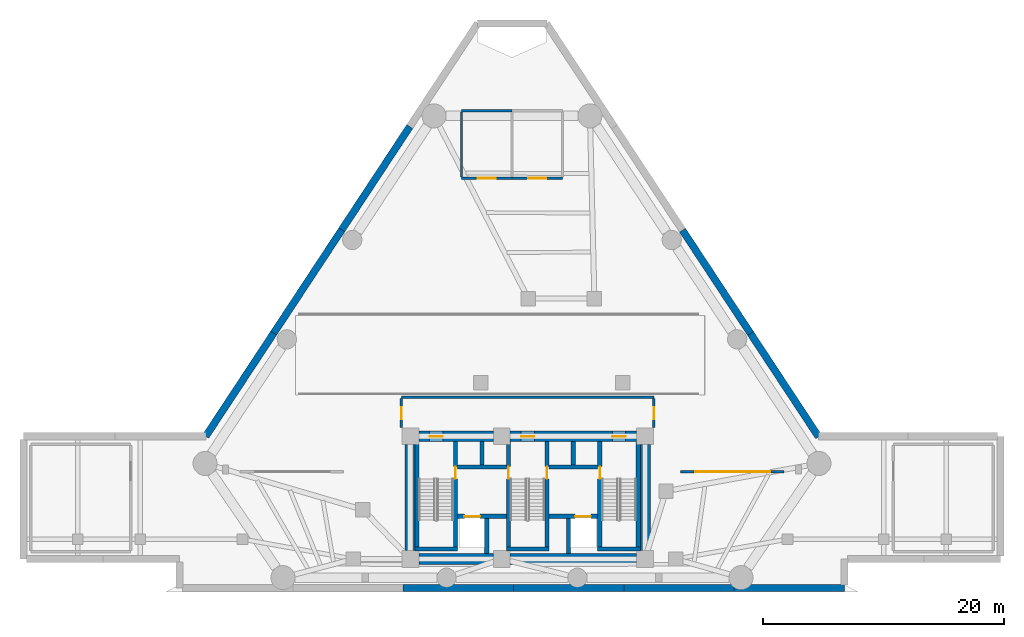
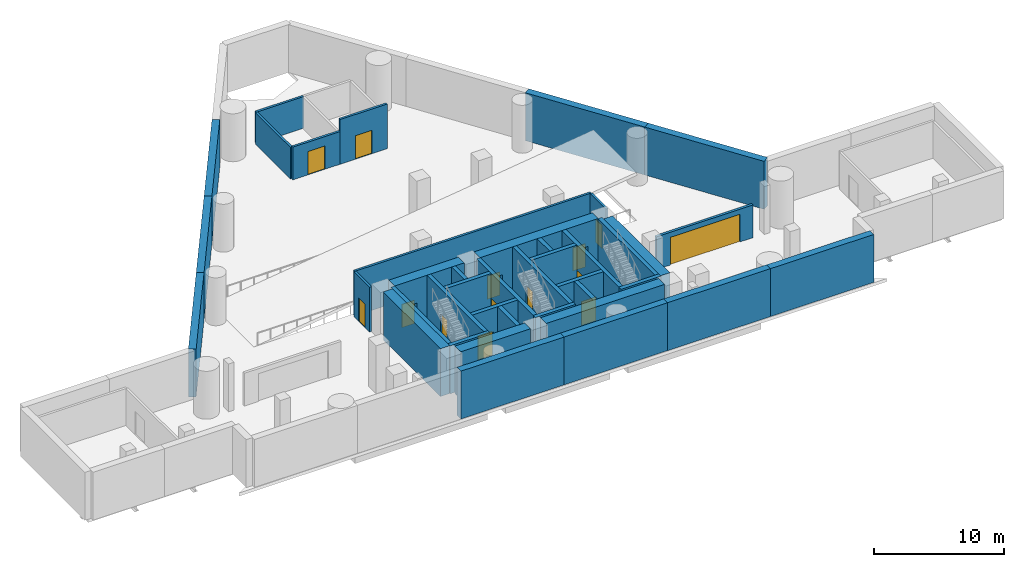
# One storey, part 3 of 6: 40 walls, 14 doors, 14 openings.
"""IFC4 building model written with IfcOpenShell, lengths in metres."""

from ifc_helpers import new_model, si_unit, direction, frame, frame_2d, origin, place, context, subcontext, project, spatial, rectangle, extrude, material, layer, layer_set, type_object, element, fill, save


model = new_model("IFC4")

# Units and contexts
model_context = context("Model", 3, precision=1e-05, world=origin(), true_north=direction((0.0, 1.0)))
body_context = subcontext(model_context, "Body", "Model", "MODEL_VIEW")
ifc_project = project(units=[si_unit("LENGTHUNIT", "METRE"), si_unit("AREAUNIT", "SQUARE_METRE"), si_unit("VOLUMEUNIT", "CUBIC_METRE"), si_unit("PLANEANGLEUNIT", "RADIAN"), si_unit("MASSUNIT", "GRAM", prefix="KILO")], contexts=[model_context])

# Site, building, storey
site_placement = place(None, origin())
site = spatial("IfcSite", under=ifc_project, at=site_placement, CompositionType="ELEMENT")
building_placement = place(site_placement, origin())
building = spatial("IfcBuilding", under=site, at=building_placement, Name="Almagre Mirador Tower", CompositionType="ELEMENT")
storey_placement = place(building_placement, frame((0.0, 0.0, -4.5)))
storey = spatial("IfcBuildingStorey", under=building, at=storey_placement, Name="B01", CompositionType="ELEMENT", Elevation=-4.5)

# Wall, opening, door
ifc_material_1 = material(Name="Gypsum acoustic stud partition", Category="other")
ifc_layer_1 = layer(ifc_material_1, 0.199951171875)
ifc_layer_set_1 = layer_set([ifc_layer_1], Name="Gypsum acoustic stud partition")
wall_type_1 = type_object("IfcWallType", Name="WAL-PRT-200-EI60", PredefinedType="PARTITIONING", material=ifc_layer_set_1)
wall_1_placement = place(storey_placement, frame((31.800048828125, 36.199951171875, 0.0), z_axis=(0.0, 0.0, 1.0), x_axis=(1.0, 0.0, 0.0)))
wall_1 = element("IfcWall", 1, at=wall_1_placement, inside=storey, type_object=wall_type_1, Name="B01 Main Electrical Substation Room S fire partition", PredefinedType="PARTITIONING", context=body_context, shape_type="SweptSolid", body=[
    extrude(rectangle(XDim=4.199951171875, YDim=0.199951171875, at=frame_2d((2.10009765625, 0.0))), origin(), (0.0, 0.0, 1.0), 3.077880859375),
])
opening_1_placement = place(wall_1_placement, frame((1.35009765625, 0.0, 0.0)))
opening_1 = element("IfcOpeningElement", 2, at=opening_1_placement, cuts=wall_1, Name="Opening ID-04", PredefinedType="OPENING", context=body_context, shape_type="SweptSolid", body=[
    extrude(rectangle(XDim=1.5, YDim=2.199951171875, at=frame_2d((0.75, 1.10009765625))), frame((0.0, 0.110098, 0.0), z_axis=(0.0, -1.0, 0.0), x_axis=(1.0, 0.0, 0.0)), (0.0, 0.0, 1.0), 0.219951),
])
ifc_material_2 = material(Name="Fire-rated hollow steel", Category="steel")
door_type_1 = type_object("IfcDoorType", Name="DOR-FD60-1500X2200", OperationType="DOUBLE_DOOR_SINGLE_SWING", PredefinedType="DOOR", material=ifc_material_2)
door_1_placement = place(opening_1_placement, origin())
door_1 = element("IfcDoor", 3, at=door_1_placement, inside=storey, type_object=door_type_1, Name="DR-0020 B01 Main Electrical Substation Room double fire door", OperationType="DOUBLE_DOOR_SINGLE_SWING", OverallHeight=2.199951171875, OverallWidth=1.5, PredefinedType="DOOR", context=body_context, shape_type="SweptSolid", body=[
    extrude(rectangle(XDim=1.5, YDim=2.199951171875, at=frame_2d((0.75, 1.10009765625))), frame((0.0, 0.02490234375, 0.0), z_axis=(0.0, -1.0, 0.0), x_axis=(1.0, 0.0, 0.0)), (0.0, 0.0, 1.0), 0.050048828125),
])
fill(opening_1, door_1)

# Walls
wall_2_placement = place(storey_placement, frame((31.800048828125, 41.800048828125, 0.0), z_axis=(0.0, 0.0, 1.0), x_axis=(1.0, 0.0, 0.0)))
element("IfcWall", 4, at=wall_2_placement, inside=storey, type_object=wall_type_1, Name="B01 Main Electrical Substation Room N fire partition", PredefinedType="PARTITIONING", context=body_context, shape_type="SweptSolid", body=[
    extrude(rectangle(XDim=4.199951171875, YDim=0.199951171875, at=frame_2d((2.10009765625, 0.0))), origin(), (0.0, 0.0, 1.0), 2.969970703125),
])
wall_3_placement = place(storey_placement, frame((31.800048828125, 36.304931640625, 0.0), z_axis=(0.0, 0.0, 1.0), x_axis=(0.0, 1.0, 0.0)))
element("IfcWall", 5, at=wall_3_placement, inside=storey, type_object=wall_type_1, Name="B01 Main Electrical Substation Room W fire partition", PredefinedType="PARTITIONING", context=body_context, shape_type="SweptSolid", body=[
    extrude(rectangle(XDim=5.39013671875, YDim=0.199951171875, at=frame_2d((2.695068359375, 0.0))), origin(), (0.0, 0.0, 1.0), 2.969970703125),
])

# Wall, opening, door
wall_4_placement = place(storey_placement, frame((36.0, 36.199951171875, 0.0), z_axis=(0.0, 0.0, 1.0), x_axis=(1.0, 0.0, 0.0)))
wall_4 = element("IfcWall", 6, at=wall_4_placement, inside=storey, type_object=wall_type_1, Name="B01 Emergency Standby Generator Room S fire partition", PredefinedType="PARTITIONING", context=body_context, shape_type="SweptSolid", body=[
    extrude(rectangle(XDim=4.199951171875, YDim=0.199951171875, at=frame_2d((2.10009765625, 0.0))), origin(), (0.0, 0.0, 1.0), 4.199951171875),
])
opening_2_placement = place(wall_4_placement, frame((1.35009765625, 0.0, 0.0)))
opening_2 = element("IfcOpeningElement", 7, at=opening_2_placement, cuts=wall_4, Name="Opening ID-04", PredefinedType="OPENING", context=body_context, shape_type="SweptSolid", body=[
    extrude(rectangle(XDim=1.5, YDim=2.199951171875, at=frame_2d((0.75, 1.10009765625))), frame((0.0, 0.110098, 0.0), z_axis=(0.0, -1.0, 0.0), x_axis=(1.0, 0.0, 0.0)), (0.0, 0.0, 1.0), 0.219951),
])
door_2_placement = place(opening_2_placement, origin())
door_2 = element("IfcDoor", 8, at=door_2_placement, inside=storey, type_object=door_type_1, Name="DR-0021 B01 Emergency Standby Generator Room double fire door", OperationType="DOUBLE_DOOR_SINGLE_SWING", OverallHeight=2.199951171875, OverallWidth=1.5, PredefinedType="DOOR", context=body_context, shape_type="SweptSolid", body=[
    extrude(rectangle(XDim=1.5, YDim=2.199951171875, at=frame_2d((0.75, 1.10009765625))), frame((0.0, 0.02490234375, 0.0), z_axis=(0.0, -1.0, 0.0), x_axis=(1.0, 0.0, 0.0)), (0.0, 0.0, 1.0), 0.050048828125),
])
fill(opening_2, door_2)

# Wall
wall_5_placement = place(storey_placement, frame((26.800048828125, 18.0, 0.0), z_axis=(0.0, 0.0, 1.0), x_axis=(1.0, 0.0, 0.0)))
element("IfcWall", 9, at=wall_5_placement, inside=storey, type_object=wall_type_1, Name="B01 core stair lobby north fire wall", PredefinedType="PARTITIONING", context=body_context, shape_type="SweptSolid", body=[
    extrude(rectangle(XDim=21.0, YDim=0.199951171875, at=frame_2d((10.5, 0.0))), origin(), (0.0, 0.0, 1.0), 4.199951171875),
])

# Wall, opening, door
wall_6_placement = place(storey_placement, frame((26.800048828125, 15.47998046875, 0.0), z_axis=(0.0, 0.0, 1.0), x_axis=(0.0, 1.0, 0.0)))
wall_6 = element("IfcWall", 10, at=wall_6_placement, inside=storey, type_object=wall_type_1, Name="B01 core stair lobby west fire wall", PredefinedType="PARTITIONING", context=body_context, shape_type="SweptSolid", body=[
    extrude(rectangle(XDim=2.409912109375, YDim=0.199951171875, at=frame_2d((1.205078125, 0.0))), origin(), (0.0, 0.0, 1.0), 4.199951171875),
])
opening_3_placement = place(wall_6_placement, frame((0.699951171875, 0.0, 0.0)))
opening_3 = element("IfcOpeningElement", 11, at=opening_3_placement, cuts=wall_6, Name="Opening ID-01", PredefinedType="OPENING", context=body_context, shape_type="SweptSolid", body=[
    extrude(rectangle(XDim=1.0, YDim=2.199951171875, at=frame_2d((0.5, 1.10009765625))), frame((0.0, 0.110098, 0.0), z_axis=(0.0, -1.0, 0.0), x_axis=(1.0, 0.0, 0.0)), (0.0, 0.0, 1.0), 0.219951),
])
ifc_material_3 = material(Name="Fire-rated walnut timber", Category="wood")
door_type_2 = type_object("IfcDoorType", Name="DOR-FD60-1000X2200", OperationType="NOTDEFINED", PredefinedType="DOOR", material=ifc_material_3)
door_3_placement = place(opening_3_placement, origin())
door_3 = element("IfcDoor", 12, at=door_3_placement, inside=storey, type_object=door_type_2, Name="DR-0023 B01 core stair lobby west door", OperationType="SINGLE_SWING_RIGHT", OverallHeight=2.199951171875, OverallWidth=1.0, PredefinedType="DOOR", context=body_context, shape_type="SweptSolid", body=[
    extrude(rectangle(XDim=1.0, YDim=2.199951171875, at=frame_2d((0.5, 1.10009765625))), frame((0.0, 0.02490234375, 0.0), z_axis=(0.0, -1.0, 0.0), x_axis=(1.0, 0.0, 0.0)), (0.0, 0.0, 1.0), 0.050048828125),
])
fill(opening_3, door_3)

wall_7_placement = place(storey_placement, frame((47.800048828125, 15.47998046875, 0.0), z_axis=(0.0, 0.0, 1.0), x_axis=(0.0, 1.0, 0.0)))
wall_7 = element("IfcWall", 13, at=wall_7_placement, inside=storey, type_object=wall_type_1, Name="B01 core stair lobby east fire wall", PredefinedType="PARTITIONING", context=body_context, shape_type="SweptSolid", body=[
    extrude(rectangle(XDim=2.409912109375, YDim=0.199951171875, at=frame_2d((1.205078125, 0.0))), origin(), (0.0, 0.0, 1.0), 4.199951171875),
])
opening_4_placement = place(wall_7_placement, frame((0.699951171875, 0.0, 0.0)))
opening_4 = element("IfcOpeningElement", 14, at=opening_4_placement, cuts=wall_7, Name="Opening ID-01", PredefinedType="OPENING", context=body_context, shape_type="SweptSolid", body=[
    extrude(rectangle(XDim=1.0, YDim=2.199951171875, at=frame_2d((0.5, 1.10009765625))), frame((0.0, 0.110098, 0.0), z_axis=(0.0, -1.0, 0.0), x_axis=(1.0, 0.0, 0.0)), (0.0, 0.0, 1.0), 0.219951),
])
door_4_placement = place(opening_4_placement, origin())
door_4 = element("IfcDoor", 15, at=door_4_placement, inside=storey, type_object=door_type_2, Name="DR-0022 B01 core stair lobby east door", OperationType="SINGLE_SWING_RIGHT", OverallHeight=2.199951171875, OverallWidth=1.0, PredefinedType="DOOR", context=body_context, shape_type="SweptSolid", body=[
    extrude(rectangle(XDim=1.0, YDim=2.199951171875, at=frame_2d((0.5, 1.10009765625))), frame((0.0, 0.02490234375, 0.0), z_axis=(0.0, -1.0, 0.0), x_axis=(1.0, 0.0, 0.0)), (0.0, 0.0, 1.0), 0.050048828125),
])
fill(opening_4, door_4)

ifc_material_4 = material(Name="Gypsum acoustic stud partition", Category="other")
ifc_layer_2 = layer(ifc_material_4, 0.22509765625)
ifc_layer_set_2 = layer_set([ifc_layer_2], Name="Gypsum acoustic stud partition")
wall_type_2 = type_object("IfcWallType", Name="WAL-PRT-225-EI120", PredefinedType="PARTITIONING", material=ifc_layer_set_2)
wall_8_placement = place(storey_placement, frame((50.0, 11.800048828125, 0.0), z_axis=(0.0, 0.0, 1.0), x_axis=(1.0, 0.0, 0.0)))
wall_8 = element("IfcWall", 16, at=wall_8_placement, inside=storey, type_object=wall_type_2, Name="B01 garage smoke compartment wall 2", PredefinedType="PARTITIONING", context=body_context, shape_type="SweptSolid", body=[
    extrude(rectangle(XDim=8.60009765625, YDim=0.22509765625, at=frame_2d((4.300048828125, 0.0))), origin(), (0.0, 0.0, 1.0), 3.077880859375),
])
opening_5_placement = place(wall_8_placement, frame((1.25, 0.0, 0.0)))
opening_5 = element("IfcOpeningElement", 17, at=opening_5_placement, cuts=wall_8, Name="Opening VG-03", PredefinedType="OPENING", context=body_context, shape_type="SweptSolid", body=[
    extrude(rectangle(XDim=6.199951171875, YDim=2.60009765625, at=frame_2d((3.10009765625, 1.300048828125))), frame((0.0, 0.122549, 0.0), z_axis=(0.0, -1.0, 0.0), x_axis=(1.0, 0.0, 0.0)), (0.0, 0.0, 1.0), 0.245098),
])
ifc_material_5 = material(Name="Galvanized steel fire shutter", Category="steel")
door_type_3 = type_object("IfcDoorType", Name="GAT-GAR-6200X2600", OperationType="ROLLINGUP", PredefinedType="GATE", material=ifc_material_5)
door_5_placement = place(opening_5_placement, origin())
door_5 = element("IfcDoor", 18, at=door_5_placement, inside=storey, type_object=door_type_3, Name="DR-0034 B01 drive aisle automatic fire shutter VG-03.2", OperationType="ROLLINGUP", OverallHeight=2.60009765625, OverallWidth=6.199951171875, PredefinedType="GATE", context=body_context, shape_type="SweptSolid", body=[
    extrude(rectangle(XDim=6.199951171875, YDim=2.60009765625, at=frame_2d((3.10009765625, 1.300048828125))), frame((0.0, 0.02490234375, 0.0), z_axis=(0.0, -1.0, 0.0), x_axis=(1.0, 0.0, 0.0)), (0.0, 0.0, 1.0), 0.050048828125),
])
fill(opening_5, door_5)

# Walls
ifc_material_6 = material(Name="Concrete C50/60", Category="concrete")
ifc_layer_3 = layer(ifc_material_6, 0.60009765625)
ifc_layer_set_3 = layer_set([ifc_layer_3], Name="Concrete C50/60")
wall_type_3 = type_object("IfcWallType", Name="WAL-RET-600", PredefinedType="USERDEFINED", material=ifc_layer_set_3)
for number, where, z_axis, x_axis, name in (
    (19, (27.50390625, 40.506103515625, 0.0), (0.0, 0.0, 1.0), (-0.550204250098, -0.835030109142, 0.0), "B01 perimeter retaining wall 01.2"),
    (20, (21.846923828125, 31.920654296875, 0.0), (0.0, 0.0, 1.0), (-0.550215159777, -0.835022920614, 0.0), "B01 perimeter retaining wall 01.3"),
    (21, (16.18994140625, 23.33544921875, 0.0), (0.0, 0.0, 1.0), (-0.550204250098, -0.835030109142, 0.0), "B01 perimeter retaining wall 01.4"),
):
    element("IfcWall", number, at=place(storey_placement, frame(where, z_axis=z_axis, x_axis=x_axis)), inside=storey, type_object=wall_type_3, Name=name, ObjectType="RETAININGWALL", PredefinedType="USERDEFINED", context=body_context, shape_type="SweptSolid", body=[
        extrude(rectangle(XDim=10.281494140625, YDim=0.60009765625, at=frame_2d((5.140625, 0.0))), origin(), (0.0, 0.0, 1.0), 4.5),
    ])
wall_9_placement = place(storey_placement, frame((26.957275390625, 2.14990234375, 0.0), z_axis=(0.0, 0.0, 1.0), x_axis=(1.0, 0.0, 0.0)))
element("IfcWall", 22, at=wall_9_placement, inside=storey, type_object=wall_type_3, Name="B01 perimeter retaining wall 06.3", ObjectType="RETAININGWALL", PredefinedType="USERDEFINED", context=body_context, shape_type="SweptSolid", body=[
    extrude(rectangle(XDim=9.172607421875, YDim=0.60009765625, at=frame_2d((4.58642578125, 0.0))), origin(), (0.0, 0.0, 1.0), 4.5),
])
wall_10_placement = place(storey_placement, frame((36.1298828125, 2.14990234375, 0.0), z_axis=(0.0, 0.0, 1.0), x_axis=(1.0, 0.0, 0.0)))
element("IfcWall", 23, at=wall_10_placement, inside=storey, type_object=wall_type_3, Name="B01 perimeter retaining wall 06.4", ObjectType="RETAININGWALL", PredefinedType="USERDEFINED", context=body_context, shape_type="SweptSolid", body=[
    extrude(rectangle(XDim=9.1728515625, YDim=0.60009765625, at=frame_2d((4.58642578125, 0.0))), origin(), (0.0, 0.0, 1.0), 4.5),
])
for number, where, z_axis, x_axis, name in (
    (24, (45.302734375, 2.14990234375, 0.0), (0.0, 0.0, 1.0), (1.0, 0.0, 0.0), "B01 perimeter retaining wall 06.5"),
    (25, (54.475341796875, 2.14990234375, 0.0), (0.0, 0.0, 1.0), (1.0, 0.0, 0.0), "B01 perimeter retaining wall 06.6"),
):
    element("IfcWall", number, at=place(storey_placement, frame(where, z_axis=z_axis, x_axis=x_axis)), inside=storey, type_object=wall_type_3, Name=name, ObjectType="RETAININGWALL", PredefinedType="USERDEFINED", context=body_context, shape_type="SweptSolid", body=[
        extrude(rectangle(XDim=9.172607421875, YDim=0.60009765625, at=frame_2d((4.58642578125, 0.0))), origin(), (0.0, 0.0, 1.0), 4.5),
    ])
for number, where, z_axis, x_axis, name in (
    (26, (61.489013671875, 14.716552734375, 0.0), (0.0, 0.0, 1.0), (-0.550204250098, 0.835030109142, 0.0), "B01 perimeter retaining wall 11.1"),
    (27, (55.83203125, 23.302001953125, 0.0), (0.0, 0.0, 1.0), (-0.550215159777, 0.835022920614, 0.0), "B01 perimeter retaining wall 11.2"),
):
    element("IfcWall", number, at=place(storey_placement, frame(where, z_axis=z_axis, x_axis=x_axis)), inside=storey, type_object=wall_type_3, Name=name, ObjectType="RETAININGWALL", PredefinedType="USERDEFINED", context=body_context, shape_type="SweptSolid", body=[
        extrude(rectangle(XDim=10.281494140625, YDim=0.60009765625, at=frame_2d((5.140625, 0.0))), origin(), (0.0, 0.0, 1.0), 4.5),
    ])
ifc_material_7 = material(Name="Concrete C60/75", Category="concrete")
ifc_layer_4 = layer(ifc_material_7, 0.35009765625)
ifc_layer_set_4 = layer_set([ifc_layer_4], Name="Concrete C60/75")
wall_type_4 = type_object("IfcWallType", Name="WAL-SHF-350", PredefinedType="SOLIDWALL", material=ifc_layer_set_4)
wall_11_placement = place(storey_placement, frame((28.10009765625, 5.199951171875, 0.0), z_axis=(0.0, 0.0, 1.0), x_axis=(0.0, 1.0, 0.0)))
element("IfcWall", 28, at=wall_11_placement, inside=storey, type_object=wall_type_4, Name="B01 shaft wall ST1-W", PredefinedType="SOLIDWALL", context=body_context, shape_type="SweptSolid", body=[
    extrude(rectangle(XDim=9.10009765625, YDim=0.35009765625, at=frame_2d((4.550048828125, 0.0))), origin(), (0.0, 0.0, 1.0), 4.5),
])

# Wall, opening, door
wall_12_placement = place(storey_placement, frame((31.300048828125, 5.199951171875, 0.0), z_axis=(0.0, 0.0, 1.0), x_axis=(0.0, 1.0, 0.0)))
wall_12 = element("IfcWall", 29, at=wall_12_placement, inside=storey, type_object=wall_type_4, Name="B01 shaft wall ST1-E", PredefinedType="SOLIDWALL", context=body_context, shape_type="SweptSolid", body=[
    extrude(rectangle(XDim=9.10009765625, YDim=0.35009765625, at=frame_2d((4.550048828125, 0.0))), origin(), (0.0, 0.0, 1.0), 4.5),
])
opening_6_placement = place(wall_12_placement, frame((6.02001953125, 0.0, 0.0)))
opening_6 = element("IfcOpeningElement", 30, at=opening_6_placement, cuts=wall_12, Name="Opening FD-01", PredefinedType="OPENING", context=body_context, shape_type="SweptSolid", body=[
    extrude(rectangle(XDim=1.0, YDim=2.14990234375, at=frame_2d((0.5, 1.074951171875))), frame((0.0, 0.185049, 0.0), z_axis=(0.0, -1.0, 0.0), x_axis=(1.0, 0.0, 0.0)), (0.0, 0.0, 1.0), 0.370098),
])
ifc_material_8 = material(Name="Fire-rated hollow steel", Category="steel")
door_type_4 = type_object("IfcDoorType", Name="DOR-FFL-1000X2150", OperationType="NOTDEFINED", PredefinedType="DOOR", material=ifc_material_8)
door_6_placement = place(opening_6_placement, origin())
door_6 = element("IfcDoor", 31, at=door_6_placement, inside=storey, type_object=door_type_4, Name="DR-0024 B01 FFL1-ST1 smokeproof door", OperationType="SINGLE_SWING_LEFT", OverallHeight=2.14990234375, OverallWidth=1.0, PredefinedType="DOOR", context=body_context, shape_type="SweptSolid", body=[
    extrude(rectangle(XDim=1.0, YDim=2.14990234375, at=frame_2d((0.5, 1.074951171875))), frame((0.0, 0.02490234375, 0.0), z_axis=(0.0, -1.0, 0.0), x_axis=(1.0, 0.0, 0.0)), (0.0, 0.0, 1.0), 0.050048828125),
])
fill(opening_6, door_6)

# Wall
wall_13_placement = place(storey_placement, frame((27.925048828125, 5.375, 0.0), z_axis=(0.0, 0.0, 1.0), x_axis=(1.0, 0.0, 0.0)))
element("IfcWall", 32, at=wall_13_placement, inside=storey, type_object=wall_type_4, Name="B01 shaft wall ST1-S", PredefinedType="SOLIDWALL", context=body_context, shape_type="SweptSolid", body=[
    extrude(rectangle(XDim=3.550048828125, YDim=0.35009765625, at=frame_2d((1.77490234375, 0.0))), origin(), (0.0, 0.0, 1.0), 4.5),
])

# Wall, opening, door
wall_14_placement = place(storey_placement, frame((35.699951171875, 5.199951171875, 0.0), z_axis=(0.0, 0.0, 1.0), x_axis=(0.0, 1.0, 0.0)))
wall_14 = element("IfcWall", 33, at=wall_14_placement, inside=storey, type_object=wall_type_4, Name="B01 shaft wall ST2-W", PredefinedType="SOLIDWALL", context=body_context, shape_type="SweptSolid", body=[
    extrude(rectangle(XDim=9.10009765625, YDim=0.35009765625, at=frame_2d((4.550048828125, 0.0))), origin(), (0.0, 0.0, 1.0), 4.5),
])
opening_7_placement = place(wall_14_placement, frame((6.02001953125, 0.0, 0.0)))
opening_7 = element("IfcOpeningElement", 34, at=opening_7_placement, cuts=wall_14, Name="Opening FD-01", PredefinedType="OPENING", context=body_context, shape_type="SweptSolid", body=[
    extrude(rectangle(XDim=1.0, YDim=2.14990234375, at=frame_2d((0.5, 1.074951171875))), frame((0.0, 0.185049, 0.0), z_axis=(0.0, -1.0, 0.0), x_axis=(1.0, 0.0, 0.0)), (0.0, 0.0, 1.0), 0.370098),
])
door_7_placement = place(opening_7_placement, origin())
door_7 = element("IfcDoor", 35, at=door_7_placement, inside=storey, type_object=door_type_4, Name="DR-0025 B01 FFL1-ST2 smokeproof door", OperationType="SINGLE_SWING_RIGHT", OverallHeight=2.14990234375, OverallWidth=1.0, PredefinedType="DOOR", context=body_context, shape_type="SweptSolid", body=[
    extrude(rectangle(XDim=1.0, YDim=2.14990234375, at=frame_2d((0.5, 1.074951171875))), frame((0.0, 0.02490234375, 0.0), z_axis=(0.0, -1.0, 0.0), x_axis=(1.0, 0.0, 0.0)), (0.0, 0.0, 1.0), 0.050048828125),
])
fill(opening_7, door_7)

wall_15_placement = place(storey_placement, frame((38.89990234375, 5.199951171875, 0.0), z_axis=(0.0, 0.0, 1.0), x_axis=(0.0, 1.0, 0.0)))
wall_15 = element("IfcWall", 36, at=wall_15_placement, inside=storey, type_object=wall_type_4, Name="B01 shaft wall ST2-E", PredefinedType="SOLIDWALL", context=body_context, shape_type="SweptSolid", body=[
    extrude(rectangle(XDim=9.10009765625, YDim=0.35009765625, at=frame_2d((4.550048828125, 0.0))), origin(), (0.0, 0.0, 1.0), 4.5),
])
opening_8_placement = place(wall_15_placement, frame((6.02001953125, 0.0, 0.0)))
opening_8 = element("IfcOpeningElement", 37, at=opening_8_placement, cuts=wall_15, Name="Opening FD-01", PredefinedType="OPENING", context=body_context, shape_type="SweptSolid", body=[
    extrude(rectangle(XDim=1.0, YDim=2.14990234375, at=frame_2d((0.5, 1.074951171875))), frame((0.0, 0.185049, 0.0), z_axis=(0.0, -1.0, 0.0), x_axis=(1.0, 0.0, 0.0)), (0.0, 0.0, 1.0), 0.370098),
])
door_8_placement = place(opening_8_placement, origin())
door_8 = element("IfcDoor", 38, at=door_8_placement, inside=storey, type_object=door_type_4, Name="DR-0026 B01 FFL2-ST2 smokeproof door", OperationType="SINGLE_SWING_LEFT", OverallHeight=2.14990234375, OverallWidth=1.0, PredefinedType="DOOR", context=body_context, shape_type="SweptSolid", body=[
    extrude(rectangle(XDim=1.0, YDim=2.14990234375, at=frame_2d((0.5, 1.074951171875))), frame((0.0, 0.02490234375, 0.0), z_axis=(0.0, -1.0, 0.0), x_axis=(1.0, 0.0, 0.0)), (0.0, 0.0, 1.0), 0.050048828125),
])
fill(opening_8, door_8)

# Wall
wall_16_placement = place(storey_placement, frame((35.52490234375, 5.375, 0.0), z_axis=(0.0, 0.0, 1.0), x_axis=(1.0, 0.0, 0.0)))
element("IfcWall", 39, at=wall_16_placement, inside=storey, type_object=wall_type_4, Name="B01 shaft wall ST2-S", PredefinedType="SOLIDWALL", context=body_context, shape_type="SweptSolid", body=[
    extrude(rectangle(XDim=3.550048828125, YDim=0.35009765625, at=frame_2d((1.77490234375, 0.0))), origin(), (0.0, 0.0, 1.0), 4.5),
])

# Wall, opening, door
wall_17_placement = place(storey_placement, frame((43.300048828125, 5.199951171875, 0.0), z_axis=(0.0, 0.0, 1.0), x_axis=(0.0, 1.0, 0.0)))
wall_17 = element("IfcWall", 40, at=wall_17_placement, inside=storey, type_object=wall_type_4, Name="B01 shaft wall ST3-W", PredefinedType="SOLIDWALL", context=body_context, shape_type="SweptSolid", body=[
    extrude(rectangle(XDim=9.10009765625, YDim=0.35009765625, at=frame_2d((4.550048828125, 0.0))), origin(), (0.0, 0.0, 1.0), 4.5),
])
opening_9_placement = place(wall_17_placement, frame((6.02001953125, 0.0, 0.0)))
opening_9 = element("IfcOpeningElement", 41, at=opening_9_placement, cuts=wall_17, Name="Opening FD-01", PredefinedType="OPENING", context=body_context, shape_type="SweptSolid", body=[
    extrude(rectangle(XDim=1.0, YDim=2.14990234375, at=frame_2d((0.5, 1.074951171875))), frame((0.0, 0.185049, 0.0), z_axis=(0.0, -1.0, 0.0), x_axis=(1.0, 0.0, 0.0)), (0.0, 0.0, 1.0), 0.370098),
])
door_9_placement = place(opening_9_placement, origin())
door_9 = element("IfcDoor", 42, at=door_9_placement, inside=storey, type_object=door_type_4, Name="DR-0027 B01 FFL2-ST3 smokeproof door", OperationType="SINGLE_SWING_RIGHT", OverallHeight=2.14990234375, OverallWidth=1.0, PredefinedType="DOOR", context=body_context, shape_type="SweptSolid", body=[
    extrude(rectangle(XDim=1.0, YDim=2.14990234375, at=frame_2d((0.5, 1.074951171875))), frame((0.0, 0.02490234375, 0.0), z_axis=(0.0, -1.0, 0.0), x_axis=(1.0, 0.0, 0.0)), (0.0, 0.0, 1.0), 0.050048828125),
])
fill(opening_9, door_9)

# Walls
wall_18_placement = place(storey_placement, frame((46.5, 5.199951171875, 0.0), z_axis=(0.0, 0.0, 1.0), x_axis=(0.0, 1.0, 0.0)))
element("IfcWall", 43, at=wall_18_placement, inside=storey, type_object=wall_type_4, Name="B01 shaft wall ST3-E", PredefinedType="SOLIDWALL", context=body_context, shape_type="SweptSolid", body=[
    extrude(rectangle(XDim=9.10009765625, YDim=0.35009765625, at=frame_2d((4.550048828125, 0.0))), origin(), (0.0, 0.0, 1.0), 4.5),
])
wall_19_placement = place(storey_placement, frame((43.125, 5.375, 0.0), z_axis=(0.0, 0.0, 1.0), x_axis=(1.0, 0.0, 0.0)))
element("IfcWall", 44, at=wall_19_placement, inside=storey, type_object=wall_type_4, Name="B01 shaft wall ST3-S", PredefinedType="SOLIDWALL", context=body_context, shape_type="SweptSolid", body=[
    extrude(rectangle(XDim=3.550048828125, YDim=0.35009765625, at=frame_2d((1.77490234375, 0.0))), origin(), (0.0, 0.0, 1.0), 4.5),
])

# Wall, opening, door
wall_20_placement = place(storey_placement, frame((31.47509765625, 8.10009765625, 0.0), z_axis=(0.0, 0.0, 1.0), x_axis=(1.0, 0.0, 0.0)))
wall_20 = element("IfcWall", 45, at=wall_20_placement, inside=storey, type_object=wall_type_4, Name="B01 shaft wall FSAE1-N", PredefinedType="SOLIDWALL", context=body_context, shape_type="SweptSolid", body=[
    extrude(rectangle(XDim=4.0498046875, YDim=0.35009765625, at=frame_2d((2.02490234375, 0.0))), origin(), (0.0, 0.0, 1.0), 4.5),
])
opening_10_placement = place(wall_20_placement, frame((0.574951171875, 0.0, 0.0)))
opening_10 = element("IfcOpeningElement", 46, at=opening_10_placement, cuts=wall_20, Name="Opening LD-03", PredefinedType="OPENING", context=body_context, shape_type="SweptSolid", body=[
    extrude(rectangle(XDim=1.300048828125, YDim=2.25, at=frame_2d((0.64990234375, 1.125))), frame((0.0, 0.185049, 0.0), z_axis=(0.0, -1.0, 0.0), x_axis=(1.0, 0.0, 0.0)), (0.0, 0.0, 1.0), 0.370098),
])
ifc_material_9 = material(Name="Hollow stainless steel", Category="steel")
door_type_5 = type_object("IfcDoorType", Name="DOR-LD-1300X2250", OperationType="DOUBLE_DOOR_SLIDING", PredefinedType="DOOR", material=ifc_material_9)
door_10_placement = place(opening_10_placement, origin())
door_10 = element("IfcDoor", 47, at=door_10_placement, inside=storey, type_object=door_type_5, Name="DR-0028 B01 FSAE-1 lift landing door", OperationType="DOUBLE_DOOR_SLIDING", OverallHeight=2.25, OverallWidth=1.300048828125, PredefinedType="DOOR", context=body_context, shape_type="SweptSolid", body=[
    extrude(rectangle(XDim=1.300048828125, YDim=2.25, at=frame_2d((0.64990234375, 1.125))), frame((0.0, 0.02490234375, 0.0), z_axis=(0.0, -1.0, 0.0), x_axis=(1.0, 0.0, 0.0)), (0.0, 0.0, 1.0), 0.050048828125),
])
fill(opening_10, door_10)

wall_21_placement = place(storey_placement, frame((39.074951171875, 8.10009765625, 0.0), z_axis=(0.0, 0.0, 1.0), x_axis=(1.0, 0.0, 0.0)))
wall_21 = element("IfcWall", 48, at=wall_21_placement, inside=storey, type_object=wall_type_4, Name="B01 shaft wall FSAE2-N", PredefinedType="SOLIDWALL", context=body_context, shape_type="SweptSolid", body=[
    extrude(rectangle(XDim=4.050048828125, YDim=0.35009765625, at=frame_2d((2.02490234375, 0.0))), origin(), (0.0, 0.0, 1.0), 4.5),
])
opening_11_placement = place(wall_21_placement, frame((2.175048828125, 0.0, 0.0)))
opening_11 = element("IfcOpeningElement", 49, at=opening_11_placement, cuts=wall_21, Name="Opening LD-03", PredefinedType="OPENING", context=body_context, shape_type="SweptSolid", body=[
    extrude(rectangle(XDim=1.300048828125, YDim=2.25, at=frame_2d((0.64990234375, 1.125))), frame((0.0, 0.185049, 0.0), z_axis=(0.0, -1.0, 0.0), x_axis=(1.0, 0.0, 0.0)), (0.0, 0.0, 1.0), 0.370098),
])
door_11_placement = place(opening_11_placement, origin())
door_11 = element("IfcDoor", 50, at=door_11_placement, inside=storey, type_object=door_type_5, Name="DR-0029 B01 FSAE-2 lift landing door", OperationType="DOUBLE_DOOR_SLIDING", OverallHeight=2.25, OverallWidth=1.300048828125, PredefinedType="DOOR", context=body_context, shape_type="SweptSolid", body=[
    extrude(rectangle(XDim=1.300048828125, YDim=2.25, at=frame_2d((0.64990234375, 1.125))), frame((0.0, 0.02490234375, 0.0), z_axis=(0.0, -1.0, 0.0), x_axis=(1.0, 0.0, 0.0)), (0.0, 0.0, 1.0), 0.050048828125),
])
fill(opening_11, door_11)

# Walls
for number, where, z_axis, x_axis, name in (
    (51, (33.89990234375, 5.0, 0.0), (0.0, 0.0, 1.0), (0.0, 1.0, 0.0), "B01 shaft wall FSAE1-E"),
    (52, (40.699951171875, 5.0, 0.0), (0.0, 0.0, 1.0), (0.0, 1.0, 0.0), "B01 shaft wall FSAE2-W"),
):
    element("IfcWall", number, at=place(storey_placement, frame(where, z_axis=z_axis, x_axis=x_axis)), inside=storey, type_object=wall_type_4, Name=name, PredefinedType="SOLIDWALL", context=body_context, shape_type="SweptSolid", body=[
        extrude(rectangle(XDim=2.925048828125, YDim=0.35009765625, at=frame_2d((1.46240234375, 0.0))), origin(), (0.0, 0.0, 1.0), 4.5),
    ])
wall_22_placement = place(storey_placement, frame((31.47509765625, 12.199951171875, 0.0), z_axis=(0.0, 0.0, 1.0), x_axis=(1.0, 0.0, 0.0)))
element("IfcWall", 53, at=wall_22_placement, inside=storey, type_object=wall_type_4, Name="B01 shaft wall PLM-S", PredefinedType="SOLIDWALL", context=body_context, shape_type="SweptSolid", body=[
    extrude(rectangle(XDim=4.0498046875, YDim=0.35009765625, at=frame_2d((2.02490234375, 0.0))), origin(), (0.0, 0.0, 1.0), 4.5),
])
wall_23_placement = place(storey_placement, frame((33.5, 12.375, 0.0), z_axis=(0.0, 0.0, 1.0), x_axis=(0.0, 1.0, 0.0)))
element("IfcWall", 54, at=wall_23_placement, inside=storey, type_object=wall_type_4, Name="B01 shaft wall PLM-M", PredefinedType="SOLIDWALL", context=body_context, shape_type="SweptSolid", body=[
    extrude(rectangle(XDim=1.925048828125, YDim=0.35009765625, at=frame_2d((0.96240234375, 0.0))), origin(), (0.0, 0.0, 1.0), 4.5),
])
wall_24_placement = place(storey_placement, frame((39.074951171875, 12.199951171875, 0.0), z_axis=(0.0, 0.0, 1.0), x_axis=(1.0, 0.0, 0.0)))
element("IfcWall", 55, at=wall_24_placement, inside=storey, type_object=wall_type_4, Name="B01 shaft wall PLH-S", PredefinedType="SOLIDWALL", context=body_context, shape_type="SweptSolid", body=[
    extrude(rectangle(XDim=4.050048828125, YDim=0.35009765625, at=frame_2d((2.02490234375, 0.0))), origin(), (0.0, 0.0, 1.0), 4.5),
])
wall_25_placement = place(storey_placement, frame((41.10009765625, 12.375, 0.0), z_axis=(0.0, 0.0, 1.0), x_axis=(0.0, 1.0, 0.0)))
element("IfcWall", 56, at=wall_25_placement, inside=storey, type_object=wall_type_4, Name="B01 shaft wall PLH-M", PredefinedType="SOLIDWALL", context=body_context, shape_type="SweptSolid", body=[
    extrude(rectangle(XDim=1.925048828125, YDim=0.35009765625, at=frame_2d((0.96240234375, 0.0))), origin(), (0.0, 0.0, 1.0), 4.5),
])
ifc_material_10 = material(Name="Concrete C70/85", Category="concrete")
ifc_layer_5 = layer(ifc_material_10, 0.89990234375)
ifc_layer_set_5 = layer_set([ifc_layer_5], Name="Concrete C70/85")
wall_type_5 = type_object("IfcWallType", Name="WAL-SHR-900", PredefinedType="SHEAR", material=ifc_layer_set_5)
wall_26_placement = place(storey_placement, frame((28.25, 4.550048828125, 0.0), z_axis=(0.0, 0.0, 1.0), x_axis=(1.0, 0.0, 0.0)))
element("IfcWall", 57, at=wall_26_placement, inside=storey, type_object=wall_type_5, Name="B01 core shear wall S1", PredefinedType="SHEAR", context=body_context, shape_type="SweptSolid", body=[
    extrude(rectangle(XDim=6.199951171875, YDim=0.89990234375, at=frame_2d((3.10009765625, 0.0))), origin(), (0.0, 0.0, 1.0), 4.5),
])
wall_27_placement = place(storey_placement, frame((35.85009765625, 4.550048828125, 0.0), z_axis=(0.0, 0.0, 1.0), x_axis=(1.0, 0.0, 0.0)))
element("IfcWall", 58, at=wall_27_placement, inside=storey, type_object=wall_type_5, Name="B01 core shear wall S2", PredefinedType="SHEAR", context=body_context, shape_type="SweptSolid", body=[
    extrude(rectangle(XDim=10.5, YDim=0.89990234375, at=frame_2d((5.25, 0.0))), origin(), (0.0, 0.0, 1.0), 4.5),
])

# Wall, opening, door
wall_28_placement = place(storey_placement, frame((28.25, 14.75, 0.0), z_axis=(0.0, 0.0, 1.0), x_axis=(1.0, 0.0, 0.0)))
wall_28 = element("IfcWall", 59, at=wall_28_placement, inside=storey, type_object=wall_type_5, Name="B01 core shear wall N1", PredefinedType="SHEAR", context=body_context, shape_type="SweptSolid", body=[
    extrude(rectangle(XDim=6.199951171875, YDim=0.89990234375, at=frame_2d((3.10009765625, 0.0))), origin(), (0.0, 0.0, 1.0), 4.5),
])
opening_12_placement = place(wall_28_placement, frame((0.89990234375, 0.0, 0.0)))
opening_12 = element("IfcOpeningElement", 60, at=opening_12_placement, cuts=wall_28, Name="Opening SD-02", PredefinedType="OPENING", context=body_context, shape_type="SweptSolid", body=[
    extrude(rectangle(XDim=1.10009765625, YDim=2.199951171875, at=frame_2d((0.550048828125, 1.10009765625))), frame((0.0, 0.459951, 0.0), z_axis=(0.0, -1.0, 0.0), x_axis=(1.0, 0.0, 0.0)), (0.0, 0.0, 1.0), 0.919902),
])
ifc_material_11 = material(Name="Fire-rated hollow steel", Category="steel")
door_type_6 = type_object("IfcDoorType", Name="DOR-ST-1100X2200", OperationType="NOTDEFINED", PredefinedType="DOOR", material=ifc_material_11)
door_12_placement = place(opening_12_placement, origin())
door_12 = element("IfcDoor", 61, at=door_12_placement, inside=storey, type_object=door_type_6, Name="DR-0030 B01 protected exit stair ST-1 door", OperationType="SINGLE_SWING_RIGHT", OverallHeight=2.199951171875, OverallWidth=1.10009765625, PredefinedType="DOOR", context=body_context, shape_type="SweptSolid", body=[
    extrude(rectangle(XDim=1.10009765625, YDim=2.199951171875, at=frame_2d((0.550048828125, 1.10009765625))), frame((0.0, 0.02490234375, 0.0), z_axis=(0.0, -1.0, 0.0), x_axis=(1.0, 0.0, 0.0)), (0.0, 0.0, 1.0), 0.050048828125),
])
fill(opening_12, door_12)

# Wall, openings, doors
wall_29_placement = place(storey_placement, frame((35.85009765625, 14.75, 0.0), z_axis=(0.0, 0.0, 1.0), x_axis=(1.0, 0.0, 0.0)))
wall_29 = element("IfcWall", 62, at=wall_29_placement, inside=storey, type_object=wall_type_5, Name="B01 core shear wall N2", PredefinedType="SHEAR", context=body_context, shape_type="SweptSolid", body=[
    extrude(rectangle(XDim=10.5, YDim=0.89990234375, at=frame_2d((5.25, 0.0))), origin(), (0.0, 0.0, 1.0), 4.5),
])
opening_13_placement = place(wall_29_placement, frame((0.89990234375, 0.0, 0.0)))
opening_13 = element("IfcOpeningElement", 63, at=opening_13_placement, cuts=wall_29, Name="Opening SD-02", PredefinedType="OPENING", context=body_context, shape_type="SweptSolid", body=[
    extrude(rectangle(XDim=1.10009765625, YDim=2.199951171875, at=frame_2d((0.550048828125, 1.10009765625))), frame((0.0, 0.459951, 0.0), z_axis=(0.0, -1.0, 0.0), x_axis=(1.0, 0.0, 0.0)), (0.0, 0.0, 1.0), 0.919902),
])
opening_14_placement = place(wall_29_placement, frame((8.5, 0.0, 0.0)))
opening_14 = element("IfcOpeningElement", 64, at=opening_14_placement, cuts=wall_29, Name="Opening SD-02", PredefinedType="OPENING", context=body_context, shape_type="SweptSolid", body=[
    extrude(rectangle(XDim=1.10009765625, YDim=2.199951171875, at=frame_2d((0.550048828125, 1.10009765625))), frame((0.0, 0.459951, 0.0), z_axis=(0.0, -1.0, 0.0), x_axis=(1.0, 0.0, 0.0)), (0.0, 0.0, 1.0), 0.919902),
])
door_13_placement = place(opening_13_placement, origin())
door_13 = element("IfcDoor", 65, at=door_13_placement, inside=storey, type_object=door_type_6, Name="DR-0031 B01 protected exit stair ST-2 door", OperationType="SINGLE_SWING_RIGHT", OverallHeight=2.199951171875, OverallWidth=1.10009765625, PredefinedType="DOOR", context=body_context, shape_type="SweptSolid", body=[
    extrude(rectangle(XDim=1.10009765625, YDim=2.199951171875, at=frame_2d((0.550048828125, 1.10009765625))), frame((0.0, 0.02490234375, 0.0), z_axis=(0.0, -1.0, 0.0), x_axis=(1.0, 0.0, 0.0)), (0.0, 0.0, 1.0), 0.050048828125),
])
fill(opening_13, door_13)
door_14_placement = place(opening_14_placement, origin())
door_14 = element("IfcDoor", 66, at=door_14_placement, inside=storey, type_object=door_type_6, Name="DR-0032 B01 protected exit stair ST-3 door", OperationType="SINGLE_SWING_LEFT", OverallHeight=2.199951171875, OverallWidth=1.10009765625, PredefinedType="DOOR", context=body_context, shape_type="SweptSolid", body=[
    extrude(rectangle(XDim=1.10009765625, YDim=2.199951171875, at=frame_2d((0.550048828125, 1.10009765625))), frame((0.0, 0.02490234375, 0.0), z_axis=(0.0, -1.0, 0.0), x_axis=(1.0, 0.0, 0.0)), (0.0, 0.0, 1.0), 0.050048828125),
])
fill(opening_14, door_14)

# Walls
for number, where, z_axis, x_axis, name in (
    (67, (27.550048828125, 5.25, 0.0), (0.0, 0.0, 1.0), (0.0, 1.0, 0.0), "B01 core shear wall W1"),
    (68, (47.050048828125, 5.25, 0.0), (0.0, 0.0, 1.0), (0.0, 1.0, 0.0), "B01 core shear wall E1"),
):
    element("IfcWall", number, at=place(storey_placement, frame(where, z_axis=z_axis, x_axis=x_axis)), inside=storey, type_object=wall_type_5, Name=name, PredefinedType="SHEAR", context=body_context, shape_type="SweptSolid", body=[
        extrude(rectangle(XDim=8.800048828125, YDim=0.89990234375, at=frame_2d((4.39990234375, 0.0))), origin(), (0.0, 0.0, 1.0), 4.5),
    ])

save(model, "model.ifc")
